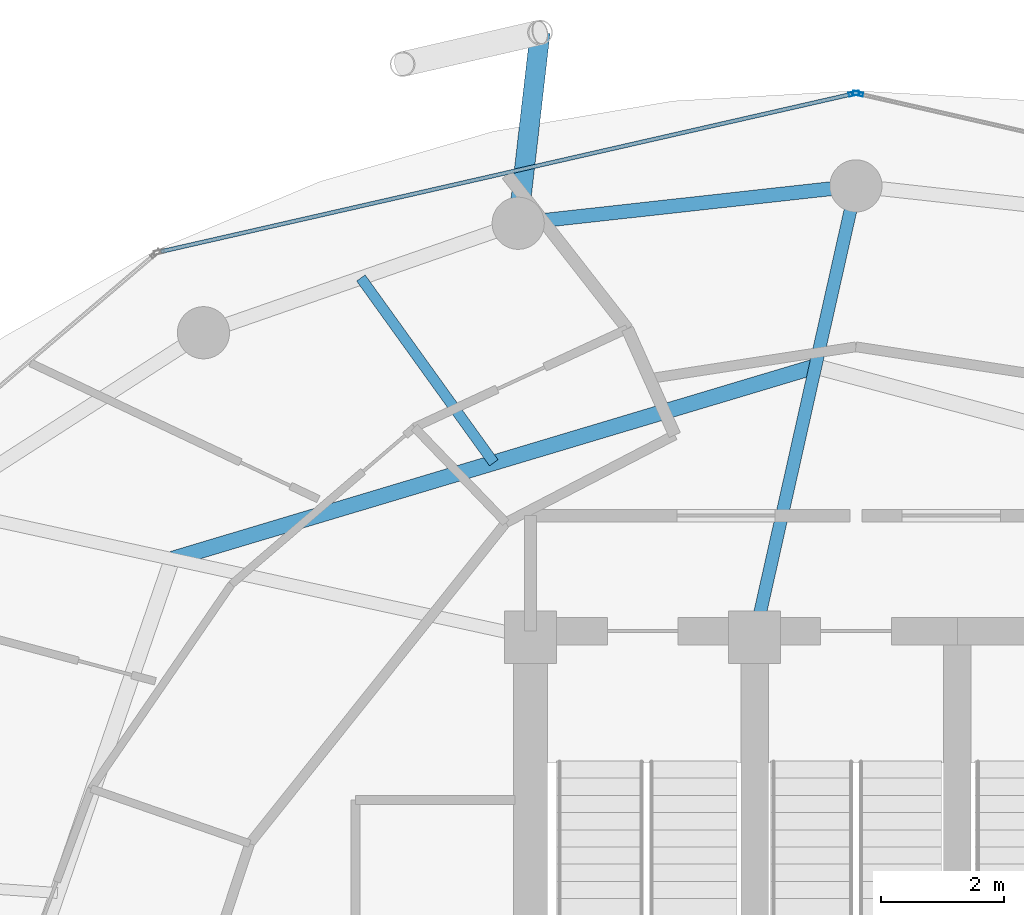
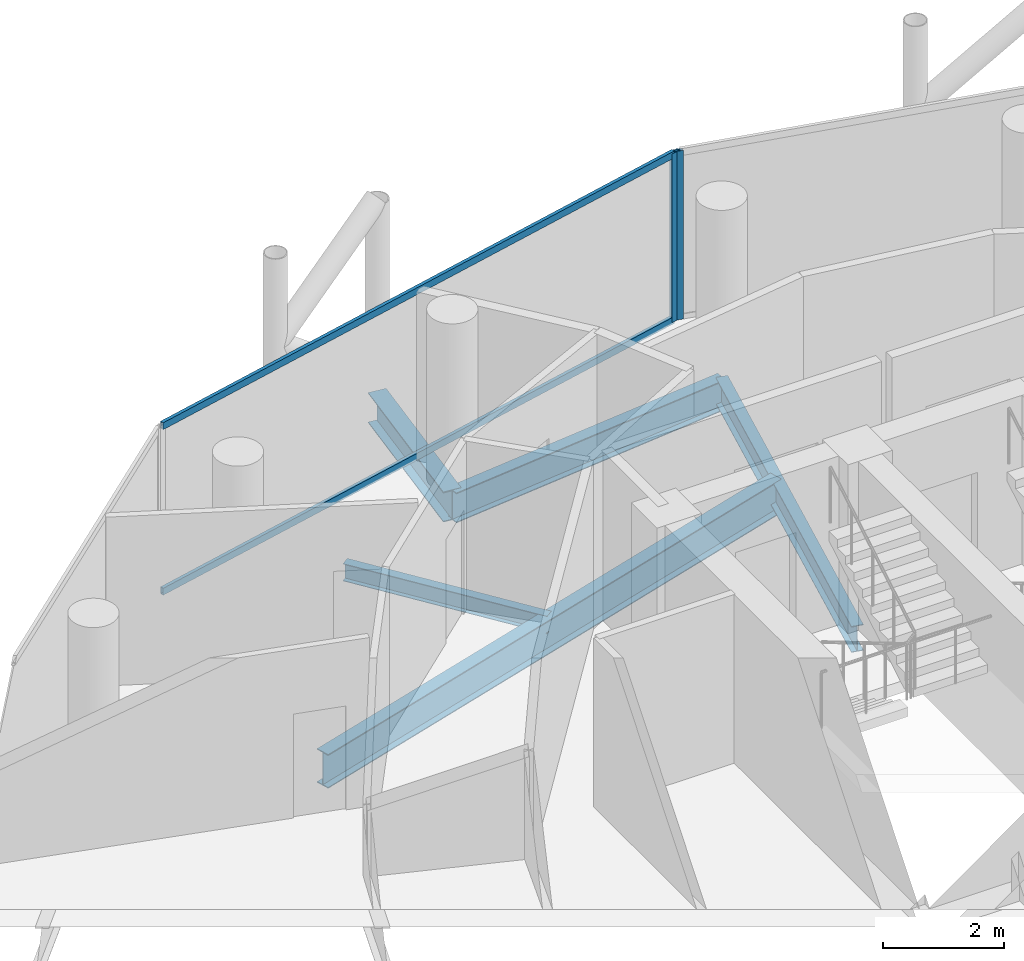
# One storey, part 19 of 27: 5 beams, 4 members, 2 elements without a shape of their own.
"""IFC4 building model written with IfcOpenShell, lengths in metres."""

from ifc_helpers import new_model, si_unit, direction, frame, origin, origin_2d, place, context, subcontext, project, spatial, hollow_rectangle, i_section, extrude, material, layer, layer_set, material_profile, profile_set, type_object, element, aggregate, save


model = new_model("IFC4")

# Units and contexts
model_context = context("Model", 3, precision=1e-05, world=origin(), true_north=direction((0.0, 1.0)))
body_context = subcontext(model_context, "Body", "Model", "MODEL_VIEW")
ifc_project = project(units=[si_unit("LENGTHUNIT", "METRE"), si_unit("AREAUNIT", "SQUARE_METRE"), si_unit("VOLUMEUNIT", "CUBIC_METRE"), si_unit("PLANEANGLEUNIT", "RADIAN"), si_unit("MASSUNIT", "GRAM", prefix="KILO")], contexts=[model_context])

# Site, building, storey
site_placement = place(None, origin())
site = spatial("IfcSite", under=ifc_project, at=site_placement, CompositionType="ELEMENT")
building_placement = place(site_placement, origin())
building = spatial("IfcBuilding", under=site, at=building_placement, Name="Nuhasar Tower", CompositionType="ELEMENT")
storey_placement = place(building_placement, frame((0.0, 0.0, 219.10009765625)))
storey = spatial("IfcBuildingStorey", under=building, at=storey_placement, Name="L53", CompositionType="ELEMENT", Elevation=219.10009765625)

# Beams
ifc_material_1 = material(Name="Steel S355", Category="steel")
ifc_material_profile_1 = material_profile(ifc_material_1, i_section(OverallWidth=0.25390625, OverallDepth=0.68408203125, WebThickness=0.012451171875, FlangeThickness=0.018798828125, at=origin_2d()), Name="W27X94")
ifc_profile_set_1 = profile_set([ifc_material_profile_1], Name="Steel S355")
beam_type_1 = type_object("IfcBeamType", Name="BM-INRING-W27X94", PredefinedType="BEAM", material=ifc_profile_set_1)
beam_1_placement = place(storey_placement, frame((38.340087890625, 41.7099609375, -0.58203125), z_axis=(-0.957973628187, -0.28685628405, 0.0), x_axis=(0.28685628405, -0.957973628187, 0.0)))
element("IfcBeam", 1, at=beam_1_placement, inside=storey, type_object=beam_type_1, Name="L53 Inner Header Beam 06", PredefinedType="BEAM", context=body_context, shape_type="SweptSolid", body=[
    extrude(i_section(OverallWidth=0.25390625, OverallDepth=0.68408203125, WebThickness=0.012451171875, FlangeThickness=0.018798828125, at=origin_2d()), origin(), (0.0, 0.0, 1.0), 10.935546875),
])
ifc_material_profile_2 = material_profile(ifc_material_1, i_section(OverallWidth=0.1708984375, OverallDepth=0.35205078125, WebThickness=0.0068359375, FlangeThickness=0.009765625, at=origin_2d()), Name="W14X30")
ifc_profile_set_2 = profile_set([ifc_material_profile_2], Name="Steel S355")
beam_type_2 = type_object("IfcBeamType", Name="BM-JST-W14X30", PredefinedType="JOIST", material=ifc_profile_set_2)
beam_2_placement = place(storey_placement, frame((33.10205078125, 40.14208984375, -0.416015625), z_axis=(-0.58390205555, 0.811824112431, 0.0), x_axis=(-0.811824112431, -0.58390205555, 0.0)))
element("IfcBeam", 2, at=beam_2_placement, inside=storey, type_object=beam_type_2, Name="L53 Secondary Floor Joist 06", PredefinedType="JOIST", context=body_context, shape_type="SweptSolid", body=[
    extrude(i_section(OverallWidth=0.1708984375, OverallDepth=0.35205078125, WebThickness=0.0068359375, FlangeThickness=0.009765625, at=origin_2d()), origin(), (0.0, 0.0, 1.0), 3.706298828125),
])
ifc_material_profile_3 = material_profile(ifc_material_1, i_section(OverallWidth=0.208984375, OverallDepth=0.528076171875, WebThickness=0.009521484375, FlangeThickness=0.01318359375, at=origin_2d()), Name="W21X55")
ifc_profile_set_3 = profile_set([ifc_material_profile_3], Name="Steel S355")
beam_type_3 = type_object("IfcBeamType", Name="BM-RAD-W21X55", PredefinedType="BEAM", material=ifc_profile_set_3)
beam_3_placement = place(storey_placement, frame((37.35009765625, 37.300048828125, -0.504150390625), z_axis=(0.219030156142, 0.975718089768, 0.0), x_axis=(-0.975718089768, 0.219030156142, 0.0)))
element("IfcBeam", 3, at=beam_3_placement, inside=storey, type_object=beam_type_3, Name="L53 Radial Floor Girder 06", PredefinedType="BEAM", context=body_context, shape_type="SweptSolid", body=[
    extrude(i_section(OverallWidth=0.208984375, OverallDepth=0.528076171875, WebThickness=0.009521484375, FlangeThickness=0.01318359375, at=origin_2d()), origin(), (0.0, 0.0, 1.0), 7.53271484375),
])
ifc_material_profile_4 = material_profile(ifc_material_1, i_section(OverallWidth=0.22802734375, OverallDepth=0.60791015625, WebThickness=0.01123046875, FlangeThickness=0.017333984375, at=origin_2d()), Name="W24X76")
ifc_profile_set_4 = profile_set([ifc_material_profile_4], Name="Steel S355")
beam_type_4 = type_object("IfcBeamType", Name="BM-RING-W24X76", PredefinedType="SPANDREL", material=ifc_profile_set_4)
beam_4_placement = place(storey_placement, frame((39.0, 44.64990234375, -0.544189453125), z_axis=(-0.993947060915, -0.109860093292, 0.0), x_axis=(0.109860093292, -0.993947060915, 0.0)))
element("IfcBeam", 4, at=beam_4_placement, inside=storey, type_object=beam_type_4, Name="L53 Perimeter Ring Spandrel 07", PredefinedType="SPANDREL", context=body_context, shape_type="SweptSolid", body=[
    extrude(i_section(OverallWidth=0.22802734375, OverallDepth=0.60791015625, WebThickness=0.01123046875, FlangeThickness=0.017333984375, at=origin_2d()), origin(), (0.0, 0.0, 1.0), 5.533447265625),
])
ifc_material_profile_5 = material_profile(ifc_material_1, i_section(OverallWidth=0.323974609375, OverallDepth=0.611083984375, WebThickness=0.0126953125, FlangeThickness=0.01904296875, at=origin_2d()), Name="W24X104")
ifc_profile_set_5 = profile_set([ifc_material_profile_5], Name="Steel S355")
beam_type_5 = type_object("IfcBeamType", Name="BM-TIE-W24X104", PredefinedType="BEAM", material=ifc_profile_set_5)
beam_5_placement = place(storey_placement, frame((33.5, 44.0419921875, -0.545166015625), z_axis=(0.114132222314, 0.993465568517, 0.0), x_axis=(-0.993465568517, 0.114132222314, 0.0)))
element("IfcBeam", 5, at=beam_5_placement, inside=storey, type_object=beam_type_5, Name="L53 Exoskeleton Node Tie Beam 04", PredefinedType="BEAM", context=body_context, shape_type="SweptSolid", body=[
    extrude(i_section(OverallWidth=0.323974609375, OverallDepth=0.611083984375, WebThickness=0.0126953125, FlangeThickness=0.01904296875, at=origin_2d()), origin(), (0.0, 0.0, 1.0), 3.12744140625),
])

# Curtain wall, member
ifc_material_2 = material(Name="Aluminium 6063-T6", Category="aluminium")
ifc_layer = layer(ifc_material_2, 0.18994140625)
ifc_layer_set = layer_set([ifc_layer], Name="Aluminium 6063-T6")
curtain_wall_type = type_object("IfcCurtainWallType", Name="CW-Z3-RES", PredefinedType="NOTDEFINED", material=ifc_layer_set)
curtain_wall_1_placement = place(storey_placement, origin())
curtain_wall_1 = element("IfcCurtainWall", 6, at=curtain_wall_1_placement, inside=storey, type_object=curtain_wall_type, Name="L53 Unitised Curtain Wall 03", PredefinedType="NOTDEFINED")
ifc_material_profile_6 = material_profile(ifc_material_2, hollow_rectangle(XDim=0.06494140625, YDim=0.169921875, WallThickness=0.0048828125, at=origin_2d()), Name="CWM-4")
ifc_profile_set_6 = profile_set([ifc_material_profile_6], Name="Aluminium 6063-T6")
member_type_1 = type_object("IfcMemberType", Name="CW-MUL-S4", PredefinedType="MULLION", material=ifc_profile_set_6)
member_1_placement = place(storey_placement, frame((39.03173828125, 46.15283203125, 0.0), z_axis=(0.0, 0.0, 1.0), x_axis=(-0.222243176313, -0.974991266926, 0.0)))
member_1 = element("IfcMember", 7, at=member_1_placement, type_object=member_type_1, Name="CW-Z3 mullion 2", PredefinedType="MULLION", context=body_context, shape_type="SweptSolid", body=[
    extrude(hollow_rectangle(XDim=0.06494140625, YDim=0.169921875, WallThickness=0.0048828125, at=origin_2d()), origin(), (0.0, 0.0, 1.0), 3.409912109375),
])
aggregate(curtain_wall_1, [member_1])

# Curtain wall, members
curtain_wall_2_placement = place(storey_placement, origin())
curtain_wall_2 = element("IfcCurtainWall", 8, at=curtain_wall_2_placement, inside=storey, type_object=curtain_wall_type, Name="L53 Unitised Curtain Wall 04", PredefinedType="NOTDEFINED")
member_2_placement = place(storey_placement, frame((38.96826171875, 46.15283203125, 0.0), z_axis=(0.0, 0.0, 1.0), x_axis=(0.222243176313, -0.974991266926, 0.0)))
member_2 = element("IfcMember", 9, at=member_2_placement, type_object=member_type_1, Name="CW-Z3 mullion 1", PredefinedType="MULLION", context=body_context, shape_type="SweptSolid", body=[
    extrude(hollow_rectangle(XDim=0.06494140625, YDim=0.169921875, WallThickness=0.0048828125, at=origin_2d()), origin(), (0.0, 0.0, 1.0), 3.409912109375),
])
ifc_material_profile_7 = material_profile(ifc_material_2, hollow_rectangle(XDim=0.06494140625, YDim=0.139892578125, WallThickness=0.00439453125, at=origin_2d()), Name="CWT-4")
ifc_profile_set_7 = profile_set([ifc_material_profile_7], Name="Aluminium 6063-T6")
member_type_2 = type_object("IfcMemberType", Name="CW-TRN-S4", PredefinedType="USERDEFINED", material=ifc_profile_set_7)
member_3_placement = place(storey_placement, frame((38.9365234375, 46.1455078125, 0.032470703125), z_axis=(-0.974994070913, -0.222230874732, 0.0), x_axis=(0.222230874732, -0.974994070913, 0.0)))
member_3 = element("IfcMember", 10, at=member_3_placement, type_object=member_type_2, Name="CW-Z3 transom 1.1", ObjectType="TRANSOM", PredefinedType="USERDEFINED", context=body_context, shape_type="SweptSolid", body=[
    extrude(hollow_rectangle(XDim=0.06494140625, YDim=0.139892578125, WallThickness=0.00439453125, at=origin_2d()), origin(), (0.0, 0.0, 1.0), 11.541748046875),
])
member_4_placement = place(storey_placement, frame((38.9365234375, 46.1455078125, 3.37744140625), z_axis=(-0.974994070913, -0.222230874732, 0.0), x_axis=(0.222230874732, -0.974994070913, 0.0)))
member_4 = element("IfcMember", 11, at=member_4_placement, type_object=member_type_2, Name="CW-Z3 transom 1.2", ObjectType="TRANSOM", PredefinedType="USERDEFINED", context=body_context, shape_type="SweptSolid", body=[
    extrude(hollow_rectangle(XDim=0.06494140625, YDim=0.139892578125, WallThickness=0.00439453125, at=origin_2d()), origin(), (0.0, 0.0, 1.0), 11.541748046875),
])
aggregate(curtain_wall_2, [member_2, member_3, member_4])

save(model, "model.ifc")
